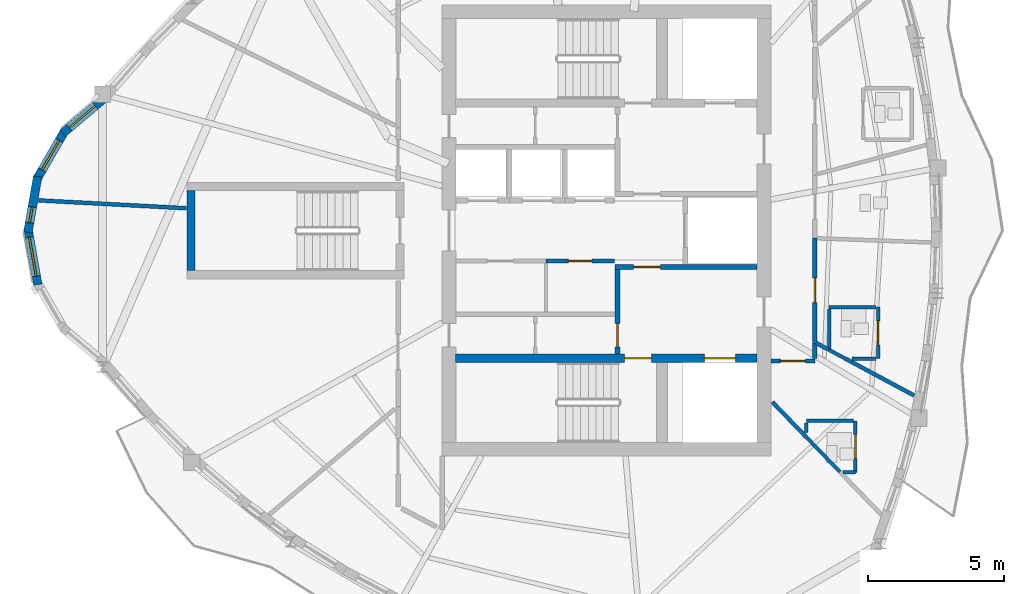
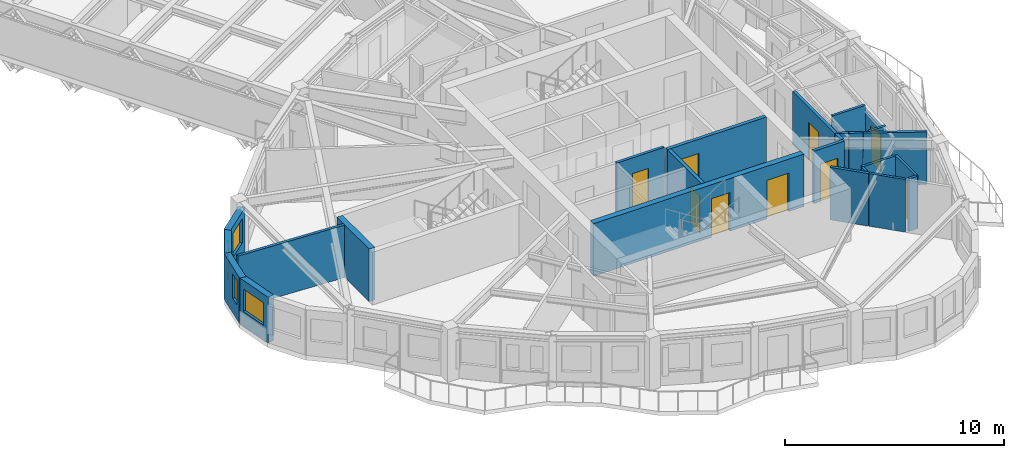
# One storey, part 6 of 14: 26 walls, 9 doors, 4 windows, 13 openings.
"""IFC4 building model written with IfcOpenShell, lengths in metres."""

from ifc_helpers import new_model, si_unit, direction, frame, frame_2d, origin, place, context, subcontext, project, spatial, rectangle, extrude, source, transform, mapped, material, layer, layer_set, type_object, element, fill, save


model = new_model("IFC4")

# Units and contexts
model_context = context("Model", 3, precision=1e-05, world=origin(), true_north=direction((0.0, 1.0)))
body_context = subcontext(model_context, "Body", "Model", "MODEL_VIEW")
ifc_project = project(units=[si_unit("LENGTHUNIT", "METRE"), si_unit("AREAUNIT", "SQUARE_METRE"), si_unit("VOLUMEUNIT", "CUBIC_METRE"), si_unit("PLANEANGLEUNIT", "RADIAN"), si_unit("MASSUNIT", "GRAM", prefix="KILO")], contexts=[model_context])

# Site, building, storey
site_placement = place(None, origin())
site = spatial("IfcSite", under=ifc_project, at=site_placement, CompositionType="ELEMENT")
building_placement = place(site_placement, origin())
building = spatial("IfcBuilding", under=site, at=building_placement, Name="Qafzar Sky-Pleat Residences", CompositionType="ELEMENT")
storey_placement = place(building_placement, frame((0.0, 0.0, 208.39990234375)))
storey = spatial("IfcBuildingStorey", under=building, at=storey_placement, Name="L62", CompositionType="ELEMENT", Elevation=208.39990234375)

# Wall, opening, door
ifc_material_1 = material(Name="Acoustic gypsum plasterboard partition", Category="gypsum")
ifc_layer_1 = layer(ifc_material_1, 0.159912109375)
ifc_layer_set_1 = layer_set([ifc_layer_1], Name="Acoustic gypsum plasterboard partition")
wall_type_1 = type_object("IfcWallType", Name="PART-COR-160", PredefinedType="PARTITIONING", material=ifc_layer_set_1)
wall_1_placement = place(storey_placement, frame((38.02001953125, 25.73291015625, 0.0), z_axis=(0.0, 0.0, 1.0), x_axis=(0.0, -1.0, 0.0)))
wall_1 = element("IfcWall", 1, at=wall_1_placement, inside=storey, type_object=wall_type_1, Name="L62 Partition Wall PART-L62-PW-006", PredefinedType="PARTITIONING", context=body_context, shape_type="SweptSolid", body=[
    extrude(rectangle(XDim=3.86181640625, YDim=0.159912109375, at=frame_2d((1.930908203125, 0.0))), origin(), (0.0, 0.0, 1.0), 2.93505859375),
])
opening_1_placement = place(wall_1_placement, frame((1.469970703125, 0.0, 0.0)))
opening_1 = element("IfcOpeningElement", 2, at=opening_1_placement, cuts=wall_1, Name="Opening ID-04", PredefinedType="OPENING", context=body_context, shape_type="SweptSolid", body=[
    extrude(rectangle(XDim=0.919921875, YDim=2.10009765625, at=frame_2d((0.4599609375, 1.050048828125))), frame((0.0, 0.08984375, 0.0), z_axis=(0.0, -1.0, 0.0), x_axis=(1.0, 0.0, 0.0)), (0.0, 0.0, 1.0), 0.179931640625),
])
ifc_material_2 = material(Name="Timber-faced fire door", Category="wood")
door_type_1 = type_object("IfcDoorType", Name="DR-BED-920", OperationType="NOTDEFINED", PredefinedType="DOOR", material=ifc_material_2)
shared_shape_1 = source(origin(), body_context, "Body", "SweptSolid", [
    extrude(rectangle(XDim=0.919921875, YDim=2.10009765625, at=frame_2d((0.4599609375, 1.050048828125))), frame((0.0, 0.02490234375, 0.0), z_axis=(0.0, -1.0, 0.0), x_axis=(1.0, 0.0, 0.0)), (0.0, 0.0, 1.0), 0.050048828125),
])
door_1_placement = place(opening_1_placement, origin())
door_1 = element("IfcDoor", 3, at=door_1_placement, inside=storey, type_object=door_type_1, Name="L62 Co-Living Bedroom 2 Door", OperationType="SINGLE_SWING_RIGHT", OverallHeight=2.10009765625, OverallWidth=0.919921875, PredefinedType="DOOR", context=body_context, shape_type="MappedRepresentation", body=[
    mapped(shared_shape_1, transform((0.0, 0.0, 0.0), x_axis=(1.0, 0.0, 0.0), y_axis=(0.0, 1.0, 0.0), z_axis=(0.0, 0.0, 1.0), scale=1.0)),
])
fill(opening_1, door_1)

wall_2_placement = place(storey_placement, frame((38.02001953125, 21.199951171875, 0.0), z_axis=(0.0, 0.0, 1.0), x_axis=(-1.0, 0.0, 0.0)))
wall_2 = element("IfcWall", 4, at=wall_2_placement, inside=storey, type_object=wall_type_1, Name="L62 Partition Wall PART-L62-PW-016", PredefinedType="PARTITIONING", context=body_context, shape_type="SweptSolid", body=[
    extrude(rectangle(XDim=1.612060546875, YDim=0.159912109375, at=frame_2d((0.80615234375, 0.0))), origin(), (0.0, 0.0, 1.0), 2.93505859375),
])
opening_2_placement = place(wall_2_placement, frame((0.35009765625, 0.0, 0.0)))
opening_2 = element("IfcOpeningElement", 5, at=opening_2_placement, cuts=wall_2, Name="Opening ID-04", PredefinedType="OPENING", context=body_context, shape_type="SweptSolid", body=[
    extrude(rectangle(XDim=0.919921875, YDim=2.10009765625, at=frame_2d((0.4599609375, 1.050048828125))), frame((0.0, 0.08984375, 0.0), z_axis=(0.0, -1.0, 0.0), x_axis=(1.0, 0.0, 0.0)), (0.0, 0.0, 1.0), 0.179931640625),
])
door_2_placement = place(opening_2_placement, origin())
door_2 = element("IfcDoor", 6, at=door_2_placement, inside=storey, type_object=door_type_1, Name="L62 Co-Living Bedroom 1 Door", OperationType="SINGLE_SWING_RIGHT", OverallHeight=2.10009765625, OverallWidth=0.919921875, PredefinedType="DOOR", context=body_context, shape_type="MappedRepresentation", body=[
    mapped(shared_shape_1, transform((0.0, 0.0, 0.0), x_axis=(1.0, 0.0, 0.0), y_axis=(0.0, 1.0, 0.0), z_axis=(0.0, 0.0, 1.0), scale=1.0)),
])
fill(opening_2, door_2)

# Wall
wall_3_placement = place(storey_placement, frame((38.02001953125, 21.2880859375, 0.0), z_axis=(0.0, 0.0, 1.0), x_axis=(0.0, 1.0, 0.0)))
element("IfcWall", 7, at=wall_3_placement, inside=storey, type_object=wall_type_1, Name="L62 Partition Wall PART-L62-PW-053", PredefinedType="PARTITIONING", context=body_context, shape_type="SweptSolid", body=[
    extrude(rectangle(XDim=0.56787109375, YDim=0.159912109375, at=frame_2d((0.283935546875, 0.0))), origin(), (0.0, 0.0, 1.0), 2.93505859375),
])

# Wall, opening, door
ifc_material_3 = material(Name="Concrete blockwork partition", Category="masonry")
ifc_layer_2 = layer(ifc_material_3, 0.179931640625)
ifc_layer_set_2 = layer_set([ifc_layer_2], Name="Concrete blockwork partition")
wall_type_2 = type_object("IfcWallType", Name="PART-SHAFT-180", PredefinedType="PARTITIONING", material=ifc_layer_set_2)
wall_4_placement = place(storey_placement, frame((30.75, 21.4599609375, 0.0), z_axis=(0.0, 0.0, 1.0), x_axis=(0.0, 1.0, 0.0)))
wall_4 = element("IfcWall", 8, at=wall_4_placement, inside=storey, type_object=wall_type_2, Name="L62 Partition Wall PART-L62-FFL1-W", PredefinedType="PARTITIONING", context=body_context, shape_type="SweptSolid", body=[
    extrude(rectangle(XDim=3.110107421875, YDim=0.179931640625, at=frame_2d((1.55517578125, 0.0))), origin(), (0.0, 0.0, 1.0), 2.93505859375),
])
opening_3_placement = place(wall_4_placement, frame((0.260009765625, 0.0, 0.0)))
opening_3 = element("IfcOpeningElement", 9, at=opening_3_placement, cuts=wall_4, Name="Opening ID-09", PredefinedType="OPENING", context=body_context, shape_type="SweptSolid", body=[
    extrude(rectangle(XDim=0.860107421875, YDim=2.050048828125, at=frame_2d((0.43017578125, 1.02490234375))), frame((0.0, 0.10009765625, 0.0), z_axis=(0.0, -1.0, 0.0), x_axis=(1.0, 0.0, 0.0)), (0.0, 0.0, 1.0), 0.199951171875),
])
door_type_2 = type_object("IfcDoorType", Name="DR-SVC-860", OperationType="NOTDEFINED", PredefinedType="DOOR", material=ifc_material_2)
shared_shape_2 = source(origin(), body_context, "Body", "SweptSolid", [
    extrude(rectangle(XDim=0.860107421875, YDim=2.050048828125, at=frame_2d((0.43017578125, 1.02490234375))), frame((0.0, 0.02490234375, 0.0), z_axis=(0.0, -1.0, 0.0), x_axis=(1.0, 0.0, 0.0)), (0.0, 0.0, 1.0), 0.050048828125),
])
door_3_placement = place(opening_3_placement, origin())
door_3 = element("IfcDoor", 10, at=door_3_placement, inside=storey, type_object=door_type_2, Name="L62 South Core Cupboard Door", OperationType="SINGLE_SWING_LEFT", OverallHeight=2.050048828125, OverallWidth=0.860107421875, PredefinedType="DOOR", context=body_context, shape_type="MappedRepresentation", body=[
    mapped(shared_shape_2, transform((0.0, 0.0, 0.0), x_axis=(1.0, 0.0, 0.0), y_axis=(0.0, 1.0, 0.0), z_axis=(0.0, 0.0, 1.0), scale=1.0)),
])
fill(opening_3, door_3)

wall_5_placement = place(storey_placement, frame((30.669921875, 24.659912109375, 0.0), z_axis=(0.0, 0.0, 1.0), x_axis=(1.0, 0.0, 0.0)))
wall_5 = element("IfcWall", 11, at=wall_5_placement, inside=storey, type_object=wall_type_2, Name="L62 Partition Wall PART-L62-FFL1-N", PredefinedType="PARTITIONING", context=body_context, shape_type="SweptSolid", body=[
    extrude(rectangle(XDim=5.219970703125, YDim=0.179931640625, at=frame_2d((2.60986328125, 0.0))), origin(), (0.0, 0.0, 1.0), 2.93505859375),
])
opening_4_placement = place(wall_5_placement, frame((0.679931640625, 0.0, 0.0)))
opening_4 = element("IfcOpeningElement", 12, at=opening_4_placement, cuts=wall_5, Name="Opening ID-01", PredefinedType="OPENING", context=body_context, shape_type="SweptSolid", body=[
    extrude(rectangle(XDim=0.97998046875, YDim=2.14990234375, at=frame_2d((0.489990234375, 1.074951171875))), frame((0.0, 0.10009765625, 0.0), z_axis=(0.0, -1.0, 0.0), x_axis=(1.0, 0.0, 0.0)), (0.0, 0.0, 1.0), 0.199951171875),
])
door_type_3 = type_object("IfcDoorType", Name="DR-STAIR-980", OperationType="NOTDEFINED", PredefinedType="DOOR", material=ifc_material_2)
shared_shape_3 = source(origin(), body_context, "Body", "SweptSolid", [
    extrude(rectangle(XDim=0.97998046875, YDim=2.14990234375, at=frame_2d((0.489990234375, 1.074951171875))), frame((0.0, 0.02490234375, 0.0), z_axis=(0.0, -1.0, 0.0), x_axis=(1.0, 0.0, 0.0)), (0.0, 0.0, 1.0), 0.050048828125),
])
door_4_placement = place(opening_4_placement, origin())
door_4 = element("IfcDoor", 13, at=door_4_placement, inside=storey, type_object=door_type_3, Name="L62 Lift Lobby to South Firefighting Lobby Door", OperationType="SINGLE_SWING_RIGHT", OverallHeight=2.14990234375, OverallWidth=0.97998046875, PredefinedType="DOOR", context=body_context, shape_type="MappedRepresentation", body=[
    mapped(shared_shape_3, transform((0.0, 0.0, 0.0), x_axis=(1.0, 0.0, 0.0), y_axis=(0.0, 1.0, 0.0), z_axis=(0.0, 0.0, 1.0), scale=1.0)),
])
fill(opening_4, door_4)

ifc_layer_3 = layer(ifc_material_1, 0.14501953125)
ifc_layer_set_3 = layer_set([ifc_layer_3], Name="Acoustic gypsum plasterboard partition")
wall_type_3 = type_object("IfcWallType", Name="PART-UNIT-145", PredefinedType="PARTITIONING", material=ifc_layer_set_3)
wall_6_placement = place(storey_placement, frame((28.1298828125, 24.8798828125, 0.0), z_axis=(0.0, 0.0, 1.0), x_axis=(1.0, 0.0, 0.0)))
wall_6 = element("IfcWall", 14, at=wall_6_placement, inside=storey, type_object=wall_type_3, Name="L62 Partition Wall PART-L62-RECLAIM-N2", PredefinedType="PARTITIONING", context=body_context, shape_type="SweptSolid", body=[
    extrude(rectangle(XDim=2.52001953125, YDim=0.14501953125, at=frame_2d((1.260009765625, 0.0))), origin(), (0.0, 0.0, 1.0), 2.93505859375),
])
opening_5_placement = place(wall_6_placement, frame((0.820068359375, 0.0, 0.0)))
opening_5 = element("IfcOpeningElement", 15, at=opening_5_placement, cuts=wall_6, Name="Opening ID-09", PredefinedType="OPENING", context=body_context, shape_type="SweptSolid", body=[
    extrude(rectangle(XDim=0.860107421875, YDim=2.050048828125, at=frame_2d((0.43017578125, 1.02490234375))), frame((0.0, 0.08251953125, 0.0), z_axis=(0.0, -1.0, 0.0), x_axis=(1.0, 0.0, 0.0)), (0.0, 0.0, 1.0), 0.1650390625),
])
door_5_placement = place(opening_5_placement, origin())
door_5 = element("IfcDoor", 16, at=door_5_placement, inside=storey, type_object=door_type_2, Name="L62 Reclaimed Linen Cupboard Door", OperationType="SINGLE_SWING_RIGHT", OverallHeight=2.050048828125, OverallWidth=0.860107421875, PredefinedType="DOOR", context=body_context, shape_type="MappedRepresentation", body=[
    mapped(shared_shape_2, transform((0.0, 0.0, 0.0), x_axis=(1.0, 0.0, 0.0), y_axis=(0.0, 1.0, 0.0), z_axis=(0.0, 0.0, 1.0), scale=1.0)),
])
fill(opening_5, door_5)

# Walls
wall_7_placement = place(storey_placement, frame((9.43310546875, 27.111572265625, 0.0), z_axis=(0.0, 0.0, 1.0), x_axis=(0.998589537807, -0.053093643525, 0.0)))
element("IfcWall", 17, at=wall_7_placement, inside=storey, type_object=wall_type_3, Name="L62 Partition Wall PART-L62-PW-022", PredefinedType="PARTITIONING", context=body_context, shape_type="SweptSolid", body=[
    extrude(rectangle(XDim=5.462890625, YDim=0.14501953125, at=frame_2d((2.7314453125, 0.0))), origin(), (0.0, 0.0, 1.0), 2.93505859375),
])
wall_8_placement = place(storey_placement, frame((39.1220703125, 21.297119140625, 0.0), z_axis=(0.0, 0.0, 1.0), x_axis=(0.881308328415, -0.472541670402, 0.0)))
element("IfcWall", 18, at=wall_8_placement, inside=storey, type_object=wall_type_3, Name="L62 Partition Wall PART-L62-PW-028", PredefinedType="PARTITIONING", context=body_context, shape_type="SweptSolid", body=[
    extrude(rectangle(XDim=2.89794921875, YDim=0.14501953125, at=frame_2d((1.448974609375, 0.0))), origin(), (0.0, 0.0, 1.0), 2.93505859375),
])
wall_9_placement = place(storey_placement, frame((36.457763671875, 19.686279296875, 0.0), z_axis=(0.0, 0.0, 1.0), x_axis=(0.695231916786, -0.718785490868, 0.0)))
element("IfcWall", 19, at=wall_9_placement, inside=storey, type_object=wall_type_3, Name="L62 Partition Wall PART-L62-PW-032", PredefinedType="PARTITIONING", context=body_context, shape_type="SweptSolid", body=[
    extrude(rectangle(XDim=1.82421875, YDim=0.14501953125, at=frame_2d((0.912109375, 0.0))), origin(), (0.0, 0.0, 1.0), 2.93505859375),
])
wall_10_placement = place(storey_placement, frame((38.0595703125, 21.86669921875, 0.0), z_axis=(0.0, 0.0, 1.0), x_axis=(0.881026965879, -0.473066047601, 0.0)))
element("IfcWall", 20, at=wall_10_placement, inside=storey, type_object=wall_type_3, Name="L62 Partition Wall PART-L62-PW-056", PredefinedType="PARTITIONING", context=body_context, shape_type="SweptSolid", body=[
    extrude(rectangle(XDim=0.521240234375, YDim=0.14501953125, at=frame_2d((0.2607421875, 0.0))), origin(), (0.0, 0.0, 1.0), 2.93505859375),
])

# Wall, opening, door
ifc_material_4 = material(Name="Moisture-resistant gypsum partition", Category="gypsum")
ifc_layer_4 = layer(ifc_material_4, 0.1298828125)
ifc_layer_set_4 = layer_set([ifc_layer_4], Name="Moisture-resistant gypsum partition")
wall_type_4 = type_object("IfcWallType", Name="PART-WET-130", PredefinedType="PARTITIONING", material=ifc_layer_set_4)
wall_11_placement = place(storey_placement, frame((39.510986328125, 17.093994140625, 0.0), z_axis=(0.0, 0.0, 1.0), x_axis=(0.0, 1.0, 0.0)))
wall_11 = element("IfcWall", 21, at=wall_11_placement, inside=storey, type_object=wall_type_4, Name="L62 Partition Wall PART-L62-PW-013", PredefinedType="PARTITIONING", context=body_context, shape_type="SweptSolid", body=[
    extrude(rectangle(XDim=1.89990234375, YDim=0.1298828125, at=frame_2d((0.949951171875, 0.0))), origin(), (0.0, 0.0, 1.0), 2.93505859375),
])
opening_6_placement = place(wall_11_placement, frame((0.510009765625, 0.0, 0.0)))
opening_6 = element("IfcOpeningElement", 22, at=opening_6_placement, cuts=wall_11, Name="Opening ID-07", PredefinedType="OPENING", context=body_context, shape_type="SweptSolid", body=[
    extrude(rectangle(XDim=0.8798828125, YDim=2.050048828125, at=frame_2d((0.43994140625, 1.02490234375))), frame((0.0, 0.074951171875, 0.0), z_axis=(0.0, -1.0, 0.0), x_axis=(1.0, 0.0, 0.0)), (0.0, 0.0, 1.0), 0.14990234375),
])
door_type_4 = type_object("IfcDoorType", Name="DR-WET-880", OperationType="NOTDEFINED", PredefinedType="DOOR", material=ifc_material_2)
shared_shape_4 = source(origin(), body_context, "Body", "SweptSolid", [
    extrude(rectangle(XDim=0.8798828125, YDim=2.050048828125, at=frame_2d((0.43994140625, 1.02490234375))), frame((0.0, 0.02490234375, 0.0), z_axis=(0.0, -1.0, 0.0), x_axis=(1.0, 0.0, 0.0)), (0.0, 0.0, 1.0), 0.050048828125),
])
door_6_placement = place(opening_6_placement, origin())
door_6 = element("IfcDoor", 23, at=door_6_placement, inside=storey, type_object=door_type_4, Name="L62 En-suite Bathroom 1 Door", OperationType="SINGLE_SWING_LEFT", OverallHeight=2.050048828125, OverallWidth=0.8798828125, PredefinedType="DOOR", context=body_context, shape_type="MappedRepresentation", body=[
    mapped(shared_shape_4, transform((0.0, 0.0, 0.0), x_axis=(1.0, 0.0, 0.0), y_axis=(0.0, 1.0, 0.0), z_axis=(0.0, 0.0, 1.0), scale=1.0)),
])
fill(opening_6, door_6)

wall_12_placement = place(storey_placement, frame((40.346923828125, 21.281982421875, 0.0), z_axis=(0.0, 0.0, 1.0), x_axis=(0.0, 1.0, 0.0)))
wall_12 = element("IfcWall", 24, at=wall_12_placement, inside=storey, type_object=wall_type_4, Name="L62 Partition Wall PART-L62-PW-014", PredefinedType="PARTITIONING", context=body_context, shape_type="SweptSolid", body=[
    extrude(rectangle(XDim=1.89990234375, YDim=0.1298828125, at=frame_2d((0.949951171875, 0.0))), origin(), (0.0, 0.0, 1.0), 2.572998046875),
])
opening_7_placement = place(wall_12_placement, frame((0.510009765625, 0.0, 0.0)))
opening_7 = element("IfcOpeningElement", 25, at=opening_7_placement, cuts=wall_12, Name="Opening ID-07", PredefinedType="OPENING", context=body_context, shape_type="SweptSolid", body=[
    extrude(rectangle(XDim=0.8798828125, YDim=2.050048828125, at=frame_2d((0.43994140625, 1.02490234375))), frame((0.0, 0.074951171875, 0.0), z_axis=(0.0, -1.0, 0.0), x_axis=(1.0, 0.0, 0.0)), (0.0, 0.0, 1.0), 0.14990234375),
])
door_7_placement = place(opening_7_placement, origin())
door_7 = element("IfcDoor", 26, at=door_7_placement, inside=storey, type_object=door_type_4, Name="L62 En-suite Bathroom 2 Door", OperationType="SINGLE_SWING_RIGHT", OverallHeight=2.050048828125, OverallWidth=0.8798828125, PredefinedType="DOOR", context=body_context, shape_type="MappedRepresentation", body=[
    mapped(shared_shape_4, transform((0.0, 0.0, 0.0), x_axis=(1.0, 0.0, 0.0), y_axis=(0.0, 1.0, 0.0), z_axis=(0.0, 0.0, 1.0), scale=1.0)),
])
fill(opening_7, door_7)

# Walls
wall_13_placement = place(storey_placement, frame((37.7109375, 18.993896484375, 0.0), z_axis=(0.0, 0.0, 1.0), x_axis=(1.0, 0.0, 0.0)))
element("IfcWall", 27, at=wall_13_placement, inside=storey, type_object=wall_type_4, Name="L62 Partition Wall PART-L62-PW-034", PredefinedType="PARTITIONING", context=body_context, shape_type="SweptSolid", body=[
    extrude(rectangle(XDim=1.72705078125, YDim=0.1298828125, at=frame_2d((0.863525390625, 0.0))), origin(), (0.0, 0.0, 1.0), 2.93505859375),
])
wall_14_placement = place(storey_placement, frame((38.547119140625, 23.181884765625, 0.0), z_axis=(0.0, 0.0, 1.0), x_axis=(1.0, 0.0, 0.0)))
element("IfcWall", 28, at=wall_14_placement, inside=storey, type_object=wall_type_4, Name="L62 Partition Wall PART-L62-PW-035", PredefinedType="PARTITIONING", context=body_context, shape_type="SweptSolid", body=[
    extrude(rectangle(XDim=1.726806640625, YDim=0.1298828125, at=frame_2d((0.86328125, 0.0))), origin(), (0.0, 0.0, 1.0), 2.93505859375),
])
wall_15_placement = place(storey_placement, frame((37.736328125, 18.3642578125, 0.0), z_axis=(0.0, 0.0, 1.0), x_axis=(0.695451956037, -0.718572596781, 0.0)))
element("IfcWall", 29, at=wall_15_placement, inside=storey, type_object=wall_type_4, Name="L62 Partition Wall PART-L62-PW-038", PredefinedType="PARTITIONING", context=body_context, shape_type="SweptSolid", body=[
    extrude(rectangle(XDim=1.731689453125, YDim=0.1298828125, at=frame_2d((0.86572265625, 0.0))), origin(), (0.0, 0.0, 1.0), 2.93505859375),
])
wall_16_placement = place(storey_placement, frame((38.547119140625, 21.60498046875, 0.0), z_axis=(0.0, 0.0, 1.0), x_axis=(0.0, 1.0, 0.0)))
element("IfcWall", 30, at=wall_16_placement, inside=storey, type_object=wall_type_4, Name="L62 Partition Wall PART-L62-PW-042", PredefinedType="PARTITIONING", context=body_context, shape_type="SweptSolid", body=[
    extrude(rectangle(XDim=1.50390625, YDim=0.1298828125, at=frame_2d((0.751953125, 0.0))), origin(), (0.0, 0.0, 1.0), 2.60302734375),
])
wall_17_placement = place(storey_placement, frame((39.389892578125, 21.281982421875, 0.0), z_axis=(0.0, 0.0, 1.0), x_axis=(1.0, 0.0, 0.0)))
element("IfcWall", 31, at=wall_17_placement, inside=storey, type_object=wall_type_4, Name="L62 Partition Wall PART-L62-PW-046", PredefinedType="PARTITIONING", context=body_context, shape_type="SweptSolid", body=[
    extrude(rectangle(XDim=0.884033203125, YDim=0.1298828125, at=frame_2d((0.44189453125, 0.0))), origin(), (0.0, 0.0, 1.0), 2.93505859375),
])
wall_18_placement = place(storey_placement, frame((38.531982421875, 21.613037109375, 0.0), z_axis=(0.0, 0.0, 1.0), x_axis=(0.881618593919, -0.471962556626, 0.0)))
element("IfcWall", 32, at=wall_18_placement, inside=storey, type_object=wall_type_4, Name="L62 Partition Wall PART-L62-PW-054", PredefinedType="PARTITIONING", context=body_context, shape_type="SweptSolid", body=[
    extrude(rectangle(XDim=0.654296875, YDim=0.1298828125, at=frame_2d((0.3271484375, 0.0))), origin(), (0.0, 0.0, 1.0), 2.93505859375),
])
wall_19_placement = place(storey_placement, frame((37.7109375, 18.570556640625, 0.0), z_axis=(0.0, 0.0, 1.0), x_axis=(0.0, 1.0, 0.0)))
element("IfcWall", 33, at=wall_19_placement, inside=storey, type_object=wall_type_4, Name="L62 Partition Wall PART-L62-PW-055", PredefinedType="PARTITIONING", context=body_context, shape_type="SweptSolid", body=[
    extrude(rectangle(XDim=0.350341796875, YDim=0.1298828125, at=frame_2d((0.17529296875, 0.0))), origin(), (0.0, 0.0, 1.0), 2.93505859375),
])
wall_20_placement = place(storey_placement, frame((39.055908203125, 17.093994140625, 0.0), z_axis=(0.0, 0.0, 1.0), x_axis=(1.0, 0.0, 0.0)))
element("IfcWall", 34, at=wall_20_placement, inside=storey, type_object=wall_type_4, Name="L62 Partition Wall PART-L62-PW-057", PredefinedType="PARTITIONING", context=body_context, shape_type="SweptSolid", body=[
    extrude(rectangle(XDim=0.455078125, YDim=0.1298828125, at=frame_2d((0.2275390625, 0.0))), origin(), (0.0, 0.0, 1.0), 2.93505859375),
])

# Wall, opening, window
ifc_material_5 = material(Name="Precast concrete C40/50 with honed Riyadh limestone", Category="concrete")
ifc_layer_5 = layer(ifc_material_5, 0.320068359375)
ifc_layer_set_5 = layer_set([ifc_layer_5], Name="Precast concrete C40/50 with honed Riyadh limestone")
wall_type_5 = type_object("IfcWallType", Name="WALL-EXT-320", PredefinedType="SOLIDWALL", material=ifc_layer_set_5)
wall_21_placement = place(storey_placement, frame((11.828857421875, 30.842529296875, 0.0), z_axis=(0.0, 0.0, 1.0), x_axis=(-0.76606505432, -0.642763045414, 0.0)))
wall_21 = element("IfcWall", 35, at=wall_21_placement, inside=storey, type_object=wall_type_5, Name="L62 Limestone Facade Wall 1", PredefinedType="SOLIDWALL", context=body_context, shape_type="SweptSolid", body=[
    extrude(rectangle(XDim=1.962158203125, YDim=0.320068359375, at=frame_2d((0.98095703125, 0.0))), origin(), (0.0, 0.0, 1.0), 2.55517578125),
])
opening_8_placement = place(wall_21_placement, frame((0.39111328125, 0.0, 0.820068359375)))
opening_8 = element("IfcOpeningElement", 36, at=opening_8_placement, cuts=wall_21, Name="Opening WN-11", PredefinedType="OPENING", context=body_context, shape_type="SweptSolid", body=[
    extrude(rectangle(XDim=1.25, YDim=1.35009765625, at=frame_2d((0.625, 0.675048828125))), frame((0.0, 0.169921875, 0.0), z_axis=(0.0, -1.0, 0.0), x_axis=(1.0, 0.0, 0.0)), (0.0, 0.0, 1.0), 0.340087890625),
])
ifc_material_6 = material(Name="Solar-control low-E glass in bronze aluminium frame", Category="glass")
window_type_1 = type_object("IfcWindowType", Name="WIN-11", PartitioningType="SINGLE_PANEL", PredefinedType="WINDOW", material=ifc_material_6)
shared_shape_5 = source(origin(), body_context, "Body", "SweptSolid", [
    extrude(rectangle(XDim=1.25, YDim=1.35009765625, at=frame_2d((0.625, 0.675048828125))), frame((0.0, 0.030029296875, 0.0), z_axis=(0.0, -1.0, 0.0), x_axis=(1.0, 0.0, 0.0)), (0.0, 0.0, 1.0), 0.06005859375),
])
window_1_placement = place(opening_8_placement, origin())
window_1 = element("IfcWindow", 37, at=window_1_placement, inside=storey, type_object=window_type_1, Name="L62 Punched Facade Window 01", OverallHeight=1.35009765625, OverallWidth=1.25, PartitioningType="SINGLE_PANEL", PredefinedType="WINDOW", context=body_context, shape_type="MappedRepresentation", body=[
    mapped(shared_shape_5, transform((0.0, 0.0, 0.0), x_axis=(1.0, 0.0, 0.0), y_axis=(0.0, 1.0, 0.0), z_axis=(0.0, 0.0, 1.0), scale=1.0)),
])
fill(opening_8, window_1)

wall_22_placement = place(storey_placement, frame((10.409423828125, 29.68115234375, 0.0), z_axis=(0.0, 0.0, 1.0), x_axis=(-0.49990781971, -0.866078617559, 0.0)))
wall_22 = element("IfcWall", 38, at=wall_22_placement, inside=storey, type_object=wall_type_5, Name="L62 Limestone Facade Wall 2", PredefinedType="SOLIDWALL", context=body_context, shape_type="SweptSolid", body=[
    extrude(rectangle(XDim=2.09033203125, YDim=0.320068359375, at=frame_2d((1.045166015625, 0.0))), origin(), (0.0, 0.0, 1.0), 2.55517578125),
])
opening_9_placement = place(wall_22_placement, frame((0.420166015625, 0.0, 0.820068359375)))
opening_9 = element("IfcOpeningElement", 39, at=opening_9_placement, cuts=wall_22, Name="Opening WN-11", PredefinedType="OPENING", context=body_context, shape_type="SweptSolid", body=[
    extrude(rectangle(XDim=1.25, YDim=1.35009765625, at=frame_2d((0.625, 0.675048828125))), frame((0.0, 0.169921875, 0.0), z_axis=(0.0, -1.0, 0.0), x_axis=(1.0, 0.0, 0.0)), (0.0, 0.0, 1.0), 0.340087890625),
])
window_2_placement = place(opening_9_placement, origin())
window_2 = element("IfcWindow", 40, at=window_2_placement, inside=storey, type_object=window_type_1, Name="L62 Punched Facade Window 02", OverallHeight=1.35009765625, OverallWidth=1.25, PartitioningType="SINGLE_PANEL", PredefinedType="WINDOW", context=body_context, shape_type="MappedRepresentation", body=[
    mapped(shared_shape_5, transform((0.0, 0.0, 0.0), x_axis=(1.0, 0.0, 0.0), y_axis=(0.0, 1.0, 0.0), z_axis=(0.0, 0.0, 1.0), scale=1.0)),
])
fill(opening_9, window_2)

wall_23_placement = place(storey_placement, frame((9.408935546875, 27.993408203125, 0.0), z_axis=(0.0, 0.0, 1.0), x_axis=(-0.173672066494, -0.984803540469, 0.0)))
wall_23 = element("IfcWall", 41, at=wall_23_placement, inside=storey, type_object=wall_type_5, Name="L62 Limestone Facade Wall 3", PredefinedType="SOLIDWALL", context=body_context, shape_type="SweptSolid", body=[
    extrude(rectangle(XDim=2.09033203125, YDim=0.320068359375, at=frame_2d((1.045166015625, 0.0))), origin(), (0.0, 0.0, 1.0), 2.55517578125),
])
opening_10_placement = place(wall_23_placement, frame((1.149169921875, 0.0, 0.820068359375)))
opening_10 = element("IfcOpeningElement", 42, at=opening_10_placement, cuts=wall_23, Name="Opening WN-17", PredefinedType="OPENING", context=body_context, shape_type="SweptSolid", body=[
    extrude(rectangle(XDim=0.580078125, YDim=1.35009765625, at=frame_2d((0.2900390625, 0.675048828125))), frame((0.0, 0.169921875, 0.0), z_axis=(0.0, -1.0, 0.0), x_axis=(1.0, 0.0, 0.0)), (0.0, 0.0, 1.0), 0.340087890625),
])
window_type_2 = type_object("IfcWindowType", Name="WIN-17", PartitioningType="SINGLE_PANEL", PredefinedType="WINDOW", material=ifc_material_6)
shared_shape_6 = source(origin(), body_context, "Body", "SweptSolid", [
    extrude(rectangle(XDim=0.580078125, YDim=1.35009765625, at=frame_2d((0.2900390625, 0.675048828125))), frame((0.0, 0.030029296875, 0.0), z_axis=(0.0, -1.0, 0.0), x_axis=(1.0, 0.0, 0.0)), (0.0, 0.0, 1.0), 0.06005859375),
])
window_3_placement = place(opening_10_placement, origin())
window_3 = element("IfcWindow", 43, at=window_3_placement, inside=storey, type_object=window_type_2, Name="L62 Punched Facade Window 03-2", OverallHeight=1.35009765625, OverallWidth=0.580078125, PartitioningType="SINGLE_PANEL", PredefinedType="WINDOW", context=body_context, shape_type="MappedRepresentation", body=[
    mapped(shared_shape_6, transform((0.0, 0.0, 0.0), x_axis=(1.0, 0.0, 0.0), y_axis=(0.0, 1.0, 0.0), z_axis=(0.0, 0.0, 1.0), scale=1.0)),
])
fill(opening_10, window_3)

wall_24_placement = place(storey_placement, frame((9.0458984375, 26.065185546875, 0.0), z_axis=(0.0, 0.0, 1.0), x_axis=(0.173672066494, -0.984803540469, 0.0)))
wall_24 = element("IfcWall", 44, at=wall_24_placement, inside=storey, type_object=wall_type_5, Name="L62 Limestone Facade Wall 4", PredefinedType="SOLIDWALL", context=body_context, shape_type="SweptSolid", body=[
    extrude(rectangle(XDim=2.09033203125, YDim=0.320068359375, at=frame_2d((1.045166015625, 0.0))), origin(), (0.0, 0.0, 1.0), 2.55517578125),
])
opening_11_placement = place(wall_24_placement, frame((0.3203125, 0.0, 0.820068359375)))
opening_11 = element("IfcOpeningElement", 45, at=opening_11_placement, cuts=wall_24, Name="Opening WN-15", PredefinedType="OPENING", context=body_context, shape_type="SweptSolid", body=[
    extrude(rectangle(XDim=1.449951171875, YDim=1.25, at=frame_2d((0.72509765625, 0.625))), frame((0.0, 0.169921875, 0.0), z_axis=(0.0, -1.0, 0.0), x_axis=(1.0, 0.0, 0.0)), (0.0, 0.0, 1.0), 0.340087890625),
])
window_type_3 = type_object("IfcWindowType", Name="WIN-15", PartitioningType="SINGLE_PANEL", PredefinedType="WINDOW", material=ifc_material_6)
shared_shape_7 = source(origin(), body_context, "Body", "SweptSolid", [
    extrude(rectangle(XDim=1.449951171875, YDim=1.25, at=frame_2d((0.72509765625, 0.625))), frame((0.0, 0.030029296875, 0.0), z_axis=(0.0, -1.0, 0.0), x_axis=(1.0, 0.0, 0.0)), (0.0, 0.0, 1.0), 0.06005859375),
])
window_4_placement = place(opening_11_placement, origin())
window_4 = element("IfcWindow", 46, at=window_4_placement, inside=storey, type_object=window_type_3, Name="L62 Punched Facade Window 04", OverallHeight=1.25, OverallWidth=1.449951171875, PartitioningType="SINGLE_PANEL", PredefinedType="WINDOW", context=body_context, shape_type="MappedRepresentation", body=[
    mapped(shared_shape_7, transform((0.0, 0.0, 0.0), x_axis=(1.0, 0.0, 0.0), y_axis=(0.0, 1.0, 0.0), z_axis=(0.0, 0.0, 1.0), scale=1.0)),
])
fill(opening_11, window_4)

# Wall, openings, doors
ifc_material_7 = material(Name="Concrete C60/75", Category="concrete")
ifc_layer_6 = layer(ifc_material_7, 0.300048828125)
ifc_layer_set_6 = layer_set([ifc_layer_6], Name="Concrete C60/75")
wall_type_6 = type_object("IfcWallType", Name="WALL-SHEAR-300", PredefinedType="SHEAR", material=ifc_layer_set_6)
wall_25_placement = place(storey_placement, frame((24.800048828125, 21.300048828125, 0.0), z_axis=(0.0, 0.0, 1.0), x_axis=(1.0, 0.0, 0.0)))
wall_25 = element("IfcWall", 47, at=wall_25_placement, inside=storey, type_object=wall_type_6, Name="L62 Stair ST1 and FF1 Shaft North Wall", PredefinedType="SHEAR", context=body_context, shape_type="SweptSolid", body=[
    extrude(rectangle(XDim=11.099853515625, YDim=0.300048828125, at=frame_2d((5.5498046875, 0.0))), origin(), (0.0, 0.0, 1.0), 2.93505859375),
])
opening_12_placement = place(wall_25_placement, frame((6.219970703125, 0.0, 0.0)))
opening_12 = element("IfcOpeningElement", 48, at=opening_12_placement, cuts=wall_25, Name="Opening ID-01", PredefinedType="OPENING", context=body_context, shape_type="SweptSolid", body=[
    extrude(rectangle(XDim=0.97998046875, YDim=2.14990234375, at=frame_2d((0.489990234375, 1.074951171875))), frame((0.0, 0.16015625, 0.0), z_axis=(0.0, -1.0, 0.0), x_axis=(1.0, 0.0, 0.0)), (0.0, 0.0, 1.0), 0.320068359375),
])
opening_13_placement = place(wall_25_placement, frame((9.14990234375, 0.0, 0.0)))
opening_13 = element("IfcOpeningElement", 49, at=opening_13_placement, cuts=wall_25, Name="Opening LD-02", PredefinedType="OPENING", context=body_context, shape_type="SweptSolid", body=[
    extrude(rectangle(XDim=1.14990234375, YDim=2.14990234375, at=frame_2d((0.574951171875, 1.074951171875))), frame((0.0, 0.16015625, 0.0), z_axis=(0.0, -1.0, 0.0), x_axis=(1.0, 0.0, 0.0)), (0.0, 0.0, 1.0), 0.320068359375),
])
door_8_placement = place(opening_12_placement, origin())
door_8 = element("IfcDoor", 50, at=door_8_placement, inside=storey, type_object=door_type_3, Name="L62 Stair ST1 Fire Door", OperationType="SINGLE_SWING_RIGHT", OverallHeight=2.14990234375, OverallWidth=0.97998046875, PredefinedType="DOOR", context=body_context, shape_type="MappedRepresentation", body=[
    mapped(shared_shape_3, transform((0.0, 0.0, 0.0), x_axis=(1.0, 0.0, 0.0), y_axis=(0.0, 1.0, 0.0), z_axis=(0.0, 0.0, 1.0), scale=1.0)),
])
fill(opening_12, door_8)
ifc_material_8 = material(Name="Stainless steel sliding landing door", Category="steel")
door_type_5 = type_object("IfcDoorType", Name="DR-LIFT-FF", OperationType="DOUBLE_DOOR_SLIDING", PredefinedType="DOOR", material=ifc_material_8)
shared_shape_8 = source(origin(), body_context, "Body", "SweptSolid", [
    extrude(rectangle(XDim=1.14990234375, YDim=2.14990234375, at=frame_2d((0.574951171875, 1.074951171875))), frame((0.0, 0.02490234375, 0.0), z_axis=(0.0, -1.0, 0.0), x_axis=(1.0, 0.0, 0.0)), (0.0, 0.0, 1.0), 0.050048828125),
])
door_9_placement = place(opening_13_placement, origin())
door_9 = element("IfcDoor", 51, at=door_9_placement, inside=storey, type_object=door_type_5, Name="L62 Firefighting Lift FF1 Landing Door", OperationType="DOUBLE_DOOR_SLIDING", OverallHeight=2.14990234375, OverallWidth=1.14990234375, PredefinedType="DOOR", context=body_context, shape_type="MappedRepresentation", body=[
    mapped(shared_shape_8, transform((0.0, 0.0, 0.0), x_axis=(1.0, 0.0, 0.0), y_axis=(0.0, 1.0, 0.0), z_axis=(0.0, 0.0, 1.0), scale=1.0)),
])
fill(opening_13, door_9)

# Wall
wall_26_placement = place(storey_placement, frame((15.050048828125, 27.47509765625, 0.0), z_axis=(0.0, 0.0, 1.0), x_axis=(0.0, -1.0, 0.0)))
element("IfcWall", 52, at=wall_26_placement, inside=storey, type_object=wall_type_6, Name="L62 ST3 wall W", PredefinedType="SHEAR", context=body_context, shape_type="SweptSolid", body=[
    extrude(rectangle(XDim=2.9501953125, YDim=0.300048828125, at=frame_2d((1.47509765625, 0.0))), origin(), (0.0, 0.0, 1.0), 2.93505859375),
])

save(model, "model.ifc")
